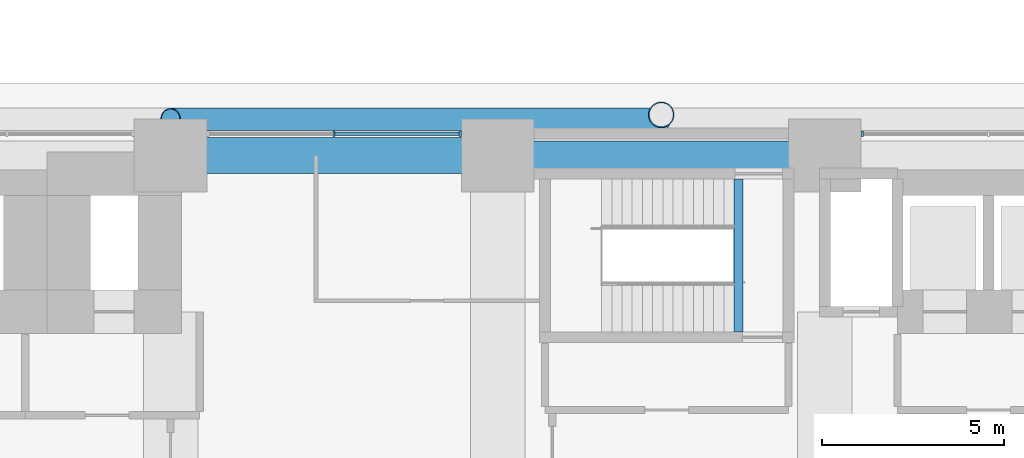
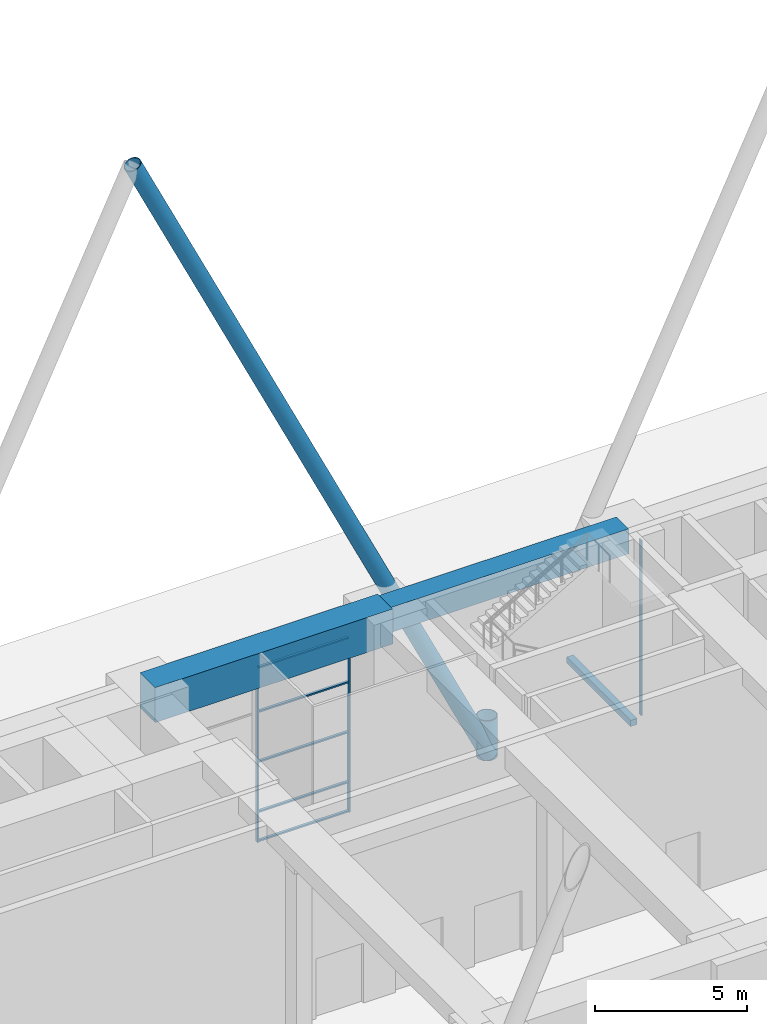
# One storey, part 19 of 44: 10 members, 3 beams, 2 elements without a shape of their own.
"""IFC4 building model written with IfcOpenShell, lengths in metres."""

import ifcopenshell
import ifcopenshell.guid

model = None  # the IFC model being written
_history = None  # IfcOwnerHistory: only IFC2X3 demands one
_inside = {}  # id of a spatial element -> (the spatial element, [elements in it])
_under = {}  # id of a project, library or spatial element -> (it, [spatial elements below it])
_declared = {}  # id of a project -> (the project, [libraries it declares])
_typed = {}  # id of a type object -> (the type object, [elements of that type])
_made_of = {}  # id of a material, layer set ... -> (it, [elements and type objects made of it])


def new_model(schema):
    """Start an empty IFC model of exactly this schema.

    Asked for "IFC4X3", IfcOpenShell would pick the latest addendum, in which some entities
    have other attributes; the version numbers below select the first issue.
    IFC2X3 requires an IfcOwnerHistory on every rooted entity: one is made here for all.
    """
    global model, _history
    if schema == "IFC4X3":
        model = ifcopenshell.file(schema_version=(4, 3, 0, 0))
    else:
        model = ifcopenshell.file(schema=schema)
    _inside.clear()
    _under.clear()
    _declared.clear()
    _typed.clear()
    _made_of.clear()
    _history = None
    if model.schema == "IFC2X3":
        org = make("IfcOrganization", Name="unknown")
        user = make(
            "IfcPersonAndOrganization",
            ThePerson=make("IfcPerson", FamilyName="unknown"),
            TheOrganization=org,
        )
        app = make(
            "IfcApplication",
            ApplicationDeveloper=org,
            Version="unknown",
            ApplicationFullName="unknown",
            ApplicationIdentifier="unknown",
        )
        _history = make(
            "IfcOwnerHistory",
            OwningUser=user,
            OwningApplication=app,
            ChangeAction="ADDED",
            CreationDate=0,
        )
    return model


def make(cls, **values):
    """One entity of the class cls with the attributes given. An attribute that is None is left unset."""
    return model.create_entity(
        cls, **{name: value for name, value in values.items() if value is not None}
    )


def rooted(cls, **values):
    """An entity with a GlobalId (a new one), such as an element, a storey or a relation."""
    return make(cls, GlobalId=ifcopenshell.guid.new(), OwnerHistory=_history, **values)


def si_unit(unit_type, name, prefix=None):
    """IfcSIUnit, for example si_unit("LENGTHUNIT", "METRE", prefix="MILLI")."""
    return make("IfcSIUnit", UnitType=unit_type, Prefix=prefix, Name=name)


def assignment(units):
    """IfcUnitAssignment: the units of a project."""
    return None if units is None else make("IfcUnitAssignment", Units=units)


def point(xyz):
    """IfcCartesianPoint."""
    return None if xyz is None else make("IfcCartesianPoint", Coordinates=xyz)


def direction(xyz):
    """IfcDirection."""
    return None if xyz is None else make("IfcDirection", DirectionRatios=xyz)


def frame(location, z_axis=None, x_axis=None):
    """IfcAxis2Placement3D, a coordinate frame: its origin and axes. An axis left out is left unset."""
    return make(
        "IfcAxis2Placement3D",
        Location=point(location),
        Axis=direction(z_axis),
        RefDirection=direction(x_axis),
    )


def frame_2d(location, x_axis=None):
    """IfcAxis2Placement2D, a coordinate frame in the plane: its origin and x axis."""
    return make(
        "IfcAxis2Placement2D", Location=point(location), RefDirection=direction(x_axis)
    )


def origin():
    """The frame at (0, 0, 0) with its axes left unset."""
    return frame((0.0, 0.0, 0.0))


def origin_2d():
    """The frame at (0, 0) in the plane with its x axis left unset."""
    return frame_2d((0.0, 0.0))


def place(relative_to, where):
    """IfcLocalPlacement: puts the frame where relative to a parent placement (None: the world)."""
    return make(
        "IfcLocalPlacement", PlacementRelTo=relative_to, RelativePlacement=where
    )


def context(
    kind, dimensions, precision=None, world=None, true_north=None, identifier=None
):
    """IfcGeometricRepresentationContext, for example the 3D "Model" context."""
    return make(
        "IfcGeometricRepresentationContext",
        ContextIdentifier=identifier,
        ContextType=kind,
        CoordinateSpaceDimension=dimensions,
        Precision=precision,
        WorldCoordinateSystem=world,
        TrueNorth=true_north,
    )


def subcontext(parent, identifier, kind, view, scale=None):
    """IfcGeometricRepresentationSubContext, for example "Body" below "Model"."""
    return make(
        "IfcGeometricRepresentationSubContext",
        ContextIdentifier=identifier,
        ContextType=kind,
        ParentContext=parent,
        TargetScale=scale,
        TargetView=view,
    )


def project(units=None, contexts=None):
    """IfcProject with its units and contexts."""
    return rooted(
        "IfcProject",
        Name="project",
        RepresentationContexts=contexts,
        UnitsInContext=assignment(units),
    )


def spatial(cls, under=None, at=None, **own):
    """A site, building, storey or space (cls), placed at a placement, below another one or the project."""
    s = rooted(cls, ObjectPlacement=at, **own)
    if under is not None:
        _under.setdefault(under.id(), (under, []))[1].append(s)
    return s


def profile(cls, at=None, kind="AREA", **sizes):
    """A parametric profile (cls). Its sizes go by their IFC names, for example OverallWidth=200.0."""
    return make(cls, ProfileType=kind, Position=at, **sizes)


def rectangle(**sizes):
    """IfcRectangleProfileDef."""
    return profile("IfcRectangleProfileDef", **sizes)


def hollow_circle(**sizes):
    """IfcCircleHollowProfileDef."""
    return profile("IfcCircleHollowProfileDef", **sizes)


def extrude(swept, where, along, depth):
    """IfcExtrudedAreaSolid: the profile swept, set in the frame where, extruded along a direction by depth."""
    return make(
        "IfcExtrudedAreaSolid",
        SweptArea=swept,
        Position=where,
        ExtrudedDirection=direction(along),
        Depth=depth,
    )


def shape(context_of_items, identifier, shape_type, items):
    """IfcShapeRepresentation: the items that make up one representation, for example the "Body"."""
    return make(
        "IfcShapeRepresentation",
        ContextOfItems=context_of_items,
        RepresentationIdentifier=identifier,
        RepresentationType=shape_type,
        Items=items,
    )


def material(Name=None, Category=None):
    """IfcMaterial."""
    return make("IfcMaterial", Name=Name, Category=Category)


def material_profile(
    of_material, cross_section, Name=None, Category=None, Priority=None
):
    """IfcMaterialProfile: a cross section and its material."""
    return make(
        "IfcMaterialProfile",
        Name=Name,
        Material=of_material,
        Profile=cross_section,
        Priority=Priority,
        Category=Category,
    )


def profile_set(profiles, Name=None, composite=None):
    """IfcMaterialProfileSet."""
    return make(
        "IfcMaterialProfileSet",
        Name=Name,
        MaterialProfiles=profiles,
        CompositeProfile=composite,
    )


def made_of(thing, what):
    """Note that an element or type object is made of a material, layer set ...; save() writes the relation."""
    if what is not None:
        _made_of.setdefault(what.id(), (what, []))[1].append(thing)
    return thing


def type_object(cls, material=None, **own):
    """A type object (cls), such as IfcWallType, which elements share."""
    return made_of(rooted(cls, **own), material)


def element(
    cls,
    number,
    at=None,
    inside=None,
    cuts=None,
    type_object=None,
    material=None,
    context=None,
    identifier="Body",
    shape_type=None,
    held_by="IfcProductDefinitionShape",
    body=None,
    shapes=None,
    **own,
):
    """One element of the class cls, such as IfcWall. Its Tag is "e" and its number.

    at: its placement. inside: the storey or other place that contains it. cuts: it is an
    opening in that element (IfcRelVoidsElement). A single representation is given by context,
    identifier, shape_type and body (its items); several are given by shapes. held_by: the class
    of the entity that holds the representations. save() writes the other relations.
    """
    e = rooted(cls, Tag="e%d" % number, ObjectPlacement=at, **own)
    if body is not None:
        shapes = [shape(context, identifier, shape_type, body)]
    if shapes is not None:
        e.Representation = make(held_by, Representations=shapes)
    if inside is not None:
        _inside.setdefault(inside.id(), (inside, []))[1].append(e)
    if cuts is not None:
        rooted(
            "IfcRelVoidsElement", RelatingBuildingElement=cuts, RelatedOpeningElement=e
        )
    if type_object is not None:
        _typed.setdefault(type_object.id(), (type_object, []))[1].append(e)
    return made_of(e, material)


def aggregate(whole, parts):
    """IfcRelAggregates: a whole, such as a stair, and the parts it consists of."""
    return rooted("IfcRelAggregates", RelatingObject=whole, RelatedObjects=parts)


def save(model, path):
    """Write the relations noted so far, then the file.

    IfcRelAggregates (storeys below a building ...), IfcRelContainedInSpatialStructure (elements
    in a storey), IfcRelDefinesByType, IfcRelAssociatesMaterial and IfcRelDeclares: one each for
    every whole, place, type object, material and project.
    """
    for whole, parts in _under.values():
        aggregate(whole, parts)
    for where, things in _inside.values():
        rooted(
            "IfcRelContainedInSpatialStructure",
            RelatedElements=things,
            RelatingStructure=where,
        )
    for kind, things in _typed.values():
        rooted("IfcRelDefinesByType", RelatedObjects=things, RelatingType=kind)
    for what, things in _made_of.values():
        rooted("IfcRelAssociatesMaterial", RelatedObjects=things, RelatingMaterial=what)
    for by, libraries in _declared.values():
        rooted("IfcRelDeclares", RelatingContext=by, RelatedDefinitions=libraries)
    model.write(path)


model = new_model("IFC4")

# Units and contexts
model_context = context("Model", 3, precision=1e-05, world=origin(), true_north=direction((0.0, 1.0)))
body_context = subcontext(model_context, "Body", "Model", "MODEL_VIEW")
ifc_project = project(units=[si_unit("LENGTHUNIT", "METRE"), si_unit("AREAUNIT", "SQUARE_METRE"), si_unit("VOLUMEUNIT", "CUBIC_METRE"), si_unit("PLANEANGLEUNIT", "RADIAN"), si_unit("MASSUNIT", "GRAM", prefix="KILO")], contexts=[model_context])

# Site, building, storey
site_placement = place(None, origin())
site = spatial("IfcSite", under=ifc_project, at=site_placement, CompositionType="ELEMENT")
building_placement = place(site_placement, origin())
building = spatial("IfcBuilding", under=site, at=building_placement, Name="Firuza Court", CompositionType="ELEMENT")
storey_placement = place(building_placement, origin())
storey = spatial("IfcBuildingStorey", under=building, at=storey_placement, Name="L00", CompositionType="ELEMENT", Elevation=0.0)

# Members
ifc_material_1 = material(Name="Steel S355", Category="steel")
ifc_material_profile_1 = material_profile(ifc_material_1, hollow_circle(Radius=0.304931640625, WallThickness=0.02490234375, at=origin_2d()), Name="CHS 610x25")
ifc_profile_set_1 = profile_set([ifc_material_profile_1], Name="Steel S355")
member_type_1 = type_object("IfcMemberType", Name="Diagrid diagonal CHS 610x25 S355", PredefinedType="USERDEFINED", material=ifc_profile_set_1)
member_1_placement = place(storey_placement, frame((40.5, 59.4951171875, 0.130859375), z_axis=(-0.430315969648, 0.0, 0.902678329343), x_axis=(0.0, -1.0, 0.0)))
element("IfcMember", 1, at=member_1_placement, inside=storey, type_object=member_type_1, Name="Diagrid diagonal L00 to L05", ObjectType="DIAGRID", PredefinedType="USERDEFINED", context=body_context, shape_type="SweptSolid", body=[
    extrude(hollow_circle(Radius=0.304931640625, WallThickness=0.02490234375, at=origin_2d()), origin(), (0.0, 0.0, 1.0), 31.372314453125),
])
ifc_material_2 = material(Name="Steel S355", Category="steel")
ifc_material_profile_2 = material_profile(ifc_material_2, hollow_circle(Radius=0.35546875, WallThickness=0.030029296875, at=origin_2d()), Name="CHS 711x30")
ifc_profile_set_2 = profile_set([ifc_material_profile_2], Name="Steel S355")
member_type_2 = type_object("IfcMemberType", Name="Diagrid node CHS 711x30 S355", PredefinedType="USERDEFINED", material=ifc_profile_set_2)
member_2_placement = place(storey_placement, frame((40.5, 59.6201171875, 0.0), z_axis=(0.0, 0.0, 1.0), x_axis=(1.0, 0.0, 0.0)))
element("IfcMember", 2, at=member_2_placement, inside=storey, type_object=member_type_2, Name="Diagrid node level L00", ObjectType="DIAGRID NODE", PredefinedType="USERDEFINED", context=body_context, shape_type="SweptSolid", body=[
    extrude(hollow_circle(Radius=0.35546875, WallThickness=0.030029296875, at=origin_2d()), origin(), (0.0, 0.0, 1.0), 1.60009765625),
])

# Beam
ifc_material_3 = material(Name="Concrete C40/50", Category="concrete")
ifc_material_profile_3 = material_profile(ifc_material_3, rectangle(XDim=0.25, YDim=0.25, at=origin_2d()), Name="RC 250x250")
ifc_profile_set_3 = profile_set([ifc_material_profile_3], Name="Concrete C40/50")
beam_type_1 = type_object("IfcBeamType", Name="Landing beam RC 250x250 C40/50", PredefinedType="BEAM", material=ifc_profile_set_3)
beam_1_placement = place(storey_placement, frame((42.625, 53.64990234375, 4.175048828125), z_axis=(0.0, 1.0, 0.0), x_axis=(-1.0, 0.0, 0.0)))
element("IfcBeam", 3, at=beam_1_placement, inside=storey, type_object=beam_type_1, Name="Landing beam S1 L00", PredefinedType="BEAM", context=body_context, shape_type="SweptSolid", body=[
    extrude(rectangle(XDim=0.25, YDim=0.25, at=origin_2d()), origin(), (0.0, 0.0, 1.0), 4.2001953125),
])

# Curtain wall, member
ifc_material_4 = material(Name="Aluminium curtain wall, triple clear glazing", Category="aluminium")
curtain_wall_type = type_object("IfcCurtainWallType", Name="Ground lobby stick shopfront CW2", PredefinedType="NOTDEFINED", material=ifc_material_4)
curtain_wall_1_placement = place(storey_placement, origin())
curtain_wall_1 = element("IfcCurtainWall", 4, at=curtain_wall_1_placement, inside=storey, type_object=curtain_wall_type, Name="Ground lobby stick shopfront CW2 L00", PredefinedType="NOTDEFINED")
ifc_material_5 = material(Name="Aluminium EN AW-6060 T66", Category="aluminium")
ifc_material_profile_4 = material_profile(ifc_material_5, rectangle(XDim=0.14990234375, YDim=0.06005859375, at=origin_2d()), Name="Mullion 150 x 60 CW2")
ifc_profile_set_4 = profile_set([ifc_material_profile_4], Name="Aluminium EN AW-6060 T66")
member_type_3 = type_object("IfcMemberType", Name="Mullion 150 x 60 CW2", PredefinedType="MULLION", material=ifc_profile_set_4)
member_3_placement = place(storey_placement, frame((46.030029296875, 59.10009765625, 0.0), z_axis=(0.0, 0.0, 1.0), x_axis=(0.0, -1.0, 0.0)))
member_3 = element("IfcMember", 5, at=member_3_placement, type_object=member_type_3, Name="CW2 mullion 3", PredefinedType="MULLION", context=body_context, shape_type="SweptSolid", body=[
    extrude(rectangle(XDim=0.14990234375, YDim=0.06005859375, at=origin_2d()), origin(), (0.0, 0.0, 1.0), 7.0),
])
aggregate(curtain_wall_1, [member_3])

# Curtain wall, members
curtain_wall_2_placement = place(storey_placement, origin())
curtain_wall_2 = element("IfcCurtainWall", 6, at=curtain_wall_2_placement, inside=storey, type_object=curtain_wall_type, Name="Ground lobby stick shopfront CW2 L00", PredefinedType="NOTDEFINED")
member_4_placement = place(storey_placement, frame((34.969970703125, 59.10009765625, 0.0), z_axis=(0.0, 0.0, 1.0), x_axis=(0.0, -1.0, 0.0)))
member_4 = element("IfcMember", 7, at=member_4_placement, type_object=member_type_3, Name="CW2 mullion 1", PredefinedType="MULLION", context=body_context, shape_type="SweptSolid", body=[
    extrude(rectangle(XDim=0.14990234375, YDim=0.06005859375, at=origin_2d()), origin(), (0.0, 0.0, 1.0), 7.0),
])
member_5_placement = place(storey_placement, frame((31.5, 59.10009765625, 0.0), z_axis=(0.0, 0.0, 1.0), x_axis=(0.0, -1.0, 0.0)))
member_5 = element("IfcMember", 8, at=member_5_placement, type_object=member_type_3, Name="CW2 mullion 2", PredefinedType="MULLION", context=body_context, shape_type="SweptSolid", body=[
    extrude(rectangle(XDim=0.14990234375, YDim=0.06005859375, at=origin_2d()), origin(), (0.0, 0.0, 1.0), 7.0),
])

# Beams
ifc_material_6 = material(Name="Concrete C60/75", Category="concrete")
ifc_material_profile_5 = material_profile(ifc_material_6, rectangle(XDim=1.0, YDim=1.39990234375, at=origin_2d()), Name="RC 1000x1400")
ifc_profile_set_5 = profile_set([ifc_material_profile_5], Name="Concrete C60/75")
beam_type_2 = type_object("IfcBeamType", Name="Transfer girder RC 1000x1400 C60/75", PredefinedType="USERDEFINED", material=ifc_profile_set_5)
beam_2_placement = place(storey_placement, frame((36.0, 58.5, 7.699951171875), z_axis=(-1.0, 0.0, 0.0), x_axis=(0.0, -1.0, 0.0)))
element("IfcBeam", 9, at=beam_2_placement, inside=storey, type_object=beam_type_2, Name="Transfer girder TG1 level L01", ObjectType="TRANSFER GIRDER", PredefinedType="USERDEFINED", context=body_context, shape_type="SweptSolid", body=[
    extrude(rectangle(XDim=1.0, YDim=1.39990234375, at=origin_2d()), origin(), (0.0, 0.0, 1.0), 9.0),
])
ifc_material_7 = material(Name="Concrete C60/75", Category="concrete")
ifc_material_profile_6 = material_profile(ifc_material_7, rectangle(XDim=0.800048828125, YDim=1.0, at=origin_2d()), Name="RC 800x1000")
ifc_profile_set_6 = profile_set([ifc_material_profile_6], Name="Concrete C60/75")
beam_type_3 = type_object("IfcBeamType", Name="Transfer girder RC 800x1000 C60/75", PredefinedType="USERDEFINED", material=ifc_profile_set_6)
beam_3_placement = place(storey_placement, frame((45.0, 58.5, 7.89990234375), z_axis=(-1.0, 0.0, 0.0), x_axis=(0.0, -1.0, 0.0)))
element("IfcBeam", 10, at=beam_3_placement, inside=storey, type_object=beam_type_3, Name="Transfer girder TG2 level L01", ObjectType="TRANSFER GIRDER", PredefinedType="USERDEFINED", context=body_context, shape_type="SweptSolid", body=[
    extrude(rectangle(XDim=0.800048828125, YDim=1.0, at=origin_2d()), origin(), (0.0, 0.0, 1.0), 9.0),
])

# Member
ifc_material_8 = material(Name="Aluminium EN AW-6060 T66", Category="aluminium")
ifc_material_profile_7 = material_profile(ifc_material_8, rectangle(XDim=0.10009765625, YDim=0.06005859375, at=origin_2d()), Name="Transom 100 x 60 CW2")
ifc_profile_set_7 = profile_set([ifc_material_profile_7], Name="Aluminium EN AW-6060 T66")
member_type_4 = type_object("IfcMemberType", Name="Transom 100 x 60 CW2", PredefinedType="USERDEFINED", material=ifc_profile_set_7)
member_6_placement = place(storey_placement, frame((34.93994140625, 59.10009765625, 0.030029296875), z_axis=(-1.0, 0.0, 0.0), x_axis=(0.0, -1.0, 0.0)))
member_6 = element("IfcMember", 11, at=member_6_placement, type_object=member_type_4, Name="CW2 transom 1.1", ObjectType="TRANSOM", PredefinedType="USERDEFINED", context=body_context, shape_type="SweptSolid", body=[
    extrude(rectangle(XDim=0.10009765625, YDim=0.06005859375, at=origin_2d()), origin(), (0.0, 0.0, 1.0), 3.409912109375),
])

member_7_placement = place(storey_placement, frame((34.93994140625, 59.10009765625, 1.199951171875), z_axis=(-1.0, 0.0, 0.0), x_axis=(0.0, -1.0, 0.0)))
member_7 = element("IfcMember", 12, at=member_7_placement, type_object=member_type_4, Name="CW2 transom 1.2", ObjectType="TRANSOM", PredefinedType="USERDEFINED", context=body_context, shape_type="SweptSolid", body=[
    extrude(rectangle(XDim=0.10009765625, YDim=0.06005859375, at=origin_2d()), origin(), (0.0, 0.0, 1.0), 3.409912109375),
])

member_8_placement = place(storey_placement, frame((34.93994140625, 59.10009765625, 3.199951171875), z_axis=(-1.0, 0.0, 0.0), x_axis=(0.0, -1.0, 0.0)))
member_8 = element("IfcMember", 13, at=member_8_placement, type_object=member_type_4, Name="CW2 transom 1.3", ObjectType="TRANSOM", PredefinedType="USERDEFINED", context=body_context, shape_type="SweptSolid", body=[
    extrude(rectangle(XDim=0.10009765625, YDim=0.06005859375, at=origin_2d()), origin(), (0.0, 0.0, 1.0), 3.409912109375),
])

member_9_placement = place(storey_placement, frame((34.93994140625, 59.10009765625, 5.199951171875), z_axis=(-1.0, 0.0, 0.0), x_axis=(0.0, -1.0, 0.0)))
member_9 = element("IfcMember", 14, at=member_9_placement, type_object=member_type_4, Name="CW2 transom 1.4", ObjectType="TRANSOM", PredefinedType="USERDEFINED", context=body_context, shape_type="SweptSolid", body=[
    extrude(rectangle(XDim=0.10009765625, YDim=0.06005859375, at=origin_2d()), origin(), (0.0, 0.0, 1.0), 3.409912109375),
])

member_10_placement = place(storey_placement, frame((34.93994140625, 59.10009765625, 6.969970703125), z_axis=(-1.0, 0.0, 0.0), x_axis=(0.0, -1.0, 0.0)))
member_10 = element("IfcMember", 15, at=member_10_placement, type_object=member_type_4, Name="CW2 transom 1.5", ObjectType="TRANSOM", PredefinedType="USERDEFINED", context=body_context, shape_type="SweptSolid", body=[
    extrude(rectangle(XDim=0.10009765625, YDim=0.06005859375, at=origin_2d()), origin(), (0.0, 0.0, 1.0), 3.409912109375),
])

aggregate(curtain_wall_2, [member_4, member_5, member_6, member_7, member_8, member_9, member_10])

save(model, "model.ifc")
